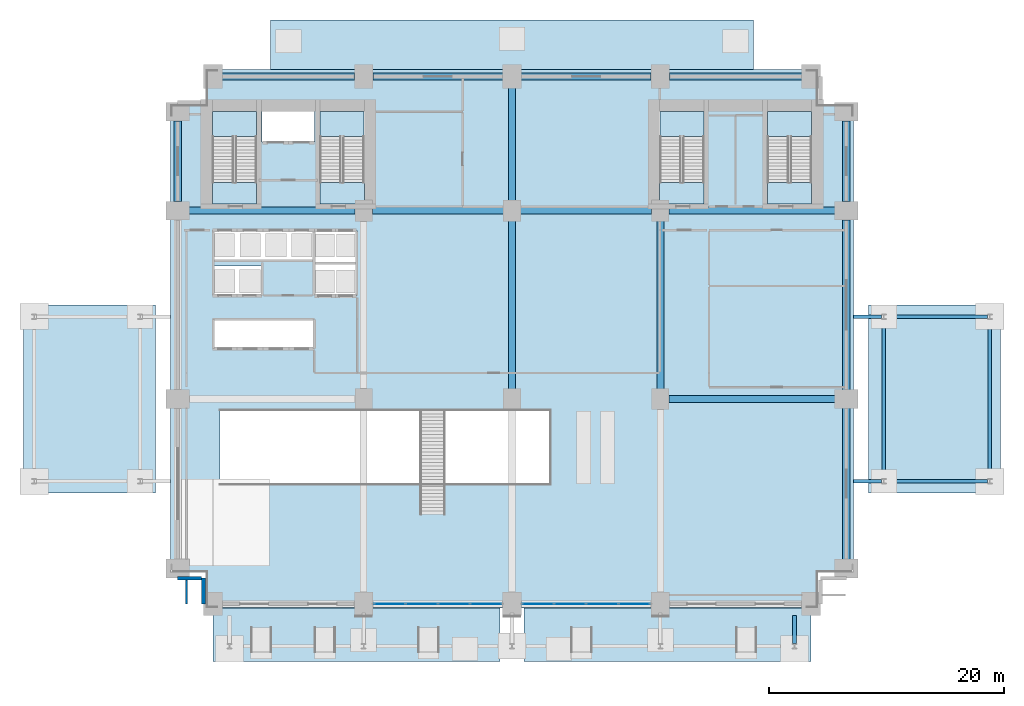
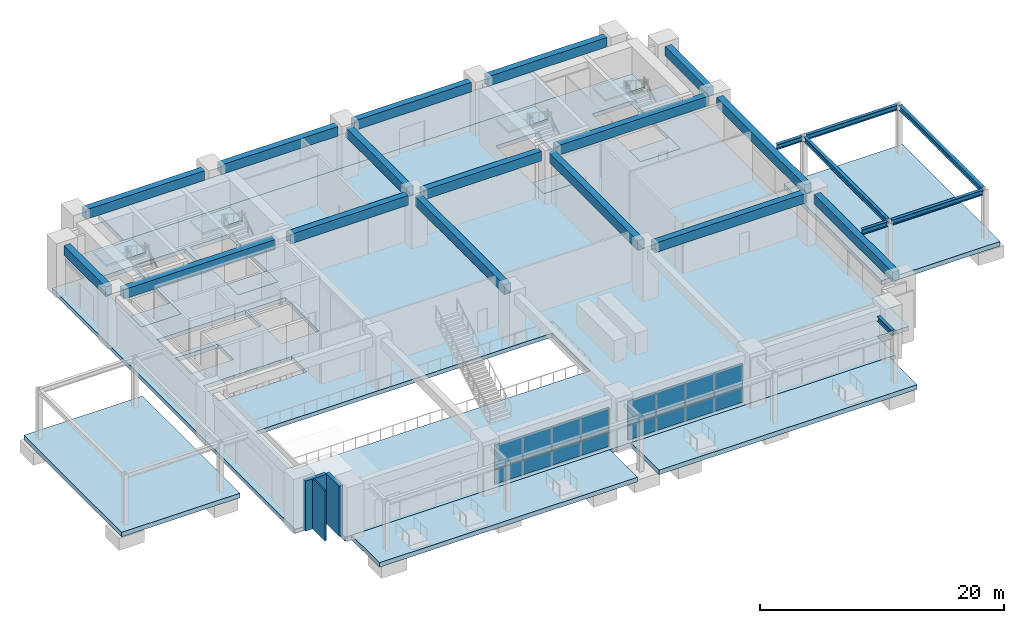
# One storey, part 4 of 14: 23 beams, 16 plates, 14 slabs, 3 walls, 6 elements without a shape of their own.
"""IFC4 building model written with IfcOpenShell, lengths in metres."""

from ifc_helpers import new_model, si_unit, direction, frame, frame_2d, origin, origin_2d, place, context, subcontext, project, spatial, polyline, rectangle, i_section, outline, extrude, material, layer, layer_set, material_profile, profile_set, type_object, element, aggregate, save


model = new_model("IFC4")

# Units and contexts
model_context = context("Model", 3, precision=1e-05, world=origin(), true_north=direction((0.0, 1.0)))
body_context = subcontext(model_context, "Body", "Model", "MODEL_VIEW")
ifc_project = project(units=[si_unit("LENGTHUNIT", "METRE"), si_unit("AREAUNIT", "SQUARE_METRE"), si_unit("VOLUMEUNIT", "CUBIC_METRE"), si_unit("PLANEANGLEUNIT", "RADIAN"), si_unit("MASSUNIT", "GRAM", prefix="KILO")], contexts=[model_context])

# Site, building, storey
site_placement = place(None, origin())
site = spatial("IfcSite", under=ifc_project, at=site_placement, CompositionType="ELEMENT")
building_placement = place(site_placement, origin())
building = spatial("IfcBuilding", under=site, at=building_placement, Name="Sulina Concourse Tower", CompositionType="ELEMENT")
storey_placement = place(building_placement, origin())
storey = spatial("IfcBuildingStorey", under=building, at=storey_placement, Name="L00", CompositionType="ELEMENT", Elevation=0.0)

# Beams
ifc_material_1 = material(Name="Concrete C60/75", Category="concrete")
ifc_material_profile_1 = material_profile(ifc_material_1, rectangle(XDim=0.60009765625, YDim=0.949951171875, at=origin_2d()), Name="RC 600x950")
ifc_profile_set_1 = profile_set([ifc_material_profile_1], Name="Concrete C60/75")
beam_type_1 = type_object("IfcBeamType", Name="Basement & Podium Primary Beam 600x950", PredefinedType="BEAM", material=ifc_profile_set_1)
beam_1_placement = place(storey_placement, frame((4.3798828125, 45.39990234375, 4.52490234375), z_axis=(1.0, 0.0, 0.0), x_axis=(0.0, 1.0, 0.0)))
element("IfcBeam", 1, at=beam_1_placement, inside=storey, type_object=beam_type_1, Name="PB-N1-L00", PredefinedType="BEAM", context=body_context, shape_type="SweptSolid", body=[
    extrude(rectangle(XDim=0.60009765625, YDim=0.949951171875, at=origin_2d()), origin(), (0.0, 0.0, 1.0), 11.240234375),
])
beam_2_placement = place(storey_placement, frame((1.3798828125, 34.0, 4.52490234375), z_axis=(1.0, 0.0, 0.0), x_axis=(0.0, 1.0, 0.0)))
element("IfcBeam", 2, at=beam_2_placement, inside=storey, type_object=beam_type_1, Name="PB-C0-L00", PredefinedType="BEAM", context=body_context, shape_type="SweptSolid", body=[
    extrude(rectangle(XDim=0.60009765625, YDim=0.949951171875, at=origin_2d()), origin(), (0.0, 0.0, 1.0), 14.2900390625),
])
beam_3_placement = place(storey_placement, frame((17.179931640625, 45.39990234375, 4.52490234375), z_axis=(1.0, 0.0, 0.0), x_axis=(0.0, 1.0, 0.0)))
element("IfcBeam", 3, at=beam_3_placement, inside=storey, type_object=beam_type_1, Name="PB-N2-L00", PredefinedType="BEAM", context=body_context, shape_type="SweptSolid", body=[
    extrude(rectangle(XDim=0.60009765625, YDim=0.949951171875, at=origin_2d()), origin(), (0.0, 0.0, 1.0), 11.0400390625),
])
beam_4_placement = place(storey_placement, frame((17.1298828125, 34.0, 4.52490234375), z_axis=(1.0, 0.0, 0.0), x_axis=(0.0, 1.0, 0.0)))
element("IfcBeam", 4, at=beam_4_placement, inside=storey, type_object=beam_type_1, Name="PB-C2-L00", PredefinedType="BEAM", context=body_context, shape_type="SweptSolid", body=[
    extrude(rectangle(XDim=0.60009765625, YDim=0.949951171875, at=origin_2d()), origin(), (0.0, 0.0, 1.0), 11.14013671875),
])
beam_5_placement = place(storey_placement, frame((29.780029296875, 45.39990234375, 4.52490234375), z_axis=(1.0, 0.0, 0.0), x_axis=(0.0, 1.0, 0.0)))
element("IfcBeam", 5, at=beam_5_placement, inside=storey, type_object=beam_type_1, Name="PB-N3-L00", PredefinedType="BEAM", context=body_context, shape_type="SweptSolid", body=[
    extrude(rectangle(XDim=0.60009765625, YDim=0.949951171875, at=origin_2d()), origin(), (0.0, 0.0, 1.0), 11.0400390625),
])
beam_6_placement = place(storey_placement, frame((29.72998046875, 34.0, 4.52490234375), z_axis=(1.0, 0.0, 0.0), x_axis=(0.0, 1.0, 0.0)))
element("IfcBeam", 6, at=beam_6_placement, inside=storey, type_object=beam_type_1, Name="PB-C3-L00", PredefinedType="BEAM", context=body_context, shape_type="SweptSolid", body=[
    extrude(rectangle(XDim=0.60009765625, YDim=0.949951171875, at=origin_2d()), origin(), (0.0, 0.0, 1.0), 11.14013671875),
])
beam_7_placement = place(storey_placement, frame((42.3798828125, 45.39990234375, 4.52490234375), z_axis=(1.0, 0.0, 0.0), x_axis=(0.0, 1.0, 0.0)))
element("IfcBeam", 7, at=beam_7_placement, inside=storey, type_object=beam_type_1, Name="PB-N4-L00", PredefinedType="BEAM", context=body_context, shape_type="SweptSolid", body=[
    extrude(rectangle(XDim=0.60009765625, YDim=0.949951171875, at=origin_2d()), origin(), (0.0, 0.0, 1.0), 11.240234375),
])
for number, where, z_axis, x_axis, name in (
    (8, (42.330078125, 18.0, 4.52490234375), (1.0, 0.0, 0.0), (0.0, 1.0, 0.0), "PB-M5-L00"),
    (9, (42.330078125, 34.0, 4.52490234375), (1.0, 0.0, 0.0), (0.0, 1.0, 0.0), "PB-C5-L00"),
):
    element("IfcBeam", number, at=place(storey_placement, frame(where, z_axis=z_axis, x_axis=x_axis)), inside=storey, type_object=beam_type_1, Name=name, PredefinedType="BEAM", context=body_context, shape_type="SweptSolid", body=[
        extrude(rectangle(XDim=0.60009765625, YDim=0.949951171875, at=origin_2d()), origin(), (0.0, 0.0, 1.0), 14.2900390625),
    ])
beam_8_placement = place(storey_placement, frame((57.39990234375, 4.3798828125, 4.52490234375), z_axis=(0.0, 1.0, 0.0), x_axis=(-1.0, 0.0, 0.0)))
element("IfcBeam", 10, at=beam_8_placement, inside=storey, type_object=beam_type_1, Name="PB-E1-L00", PredefinedType="BEAM", context=body_context, shape_type="SweptSolid", body=[
    extrude(rectangle(XDim=0.60009765625, YDim=0.949951171875, at=origin_2d()), origin(), (0.0, 0.0, 1.0), 12.840087890625),
])
beam_9_placement = place(storey_placement, frame((57.39990234375, 18.780029296875, 4.52490234375), z_axis=(0.0, 1.0, 0.0), x_axis=(-1.0, 0.0, 0.0)))
element("IfcBeam", 11, at=beam_9_placement, inside=storey, type_object=beam_type_1, Name="PB-E2-L00", PredefinedType="BEAM", context=body_context, shape_type="SweptSolid", body=[
    extrude(rectangle(XDim=0.60009765625, YDim=0.949951171875, at=origin_2d()), origin(), (0.0, 0.0, 1.0), 14.43994140625),
])
for number, where, z_axis, x_axis, name in (
    (12, (0.60009765625, 34.780029296875, 4.52490234375), (0.0, 1.0, 0.0), (-1.0, 0.0, 0.0), "PB-W3-L00"),
    (13, (57.39990234375, 34.780029296875, 4.52490234375), (0.0, 1.0, 0.0), (-1.0, 0.0, 0.0), "PB-E3-L00"),
):
    element("IfcBeam", number, at=place(storey_placement, frame(where, z_axis=z_axis, x_axis=x_axis)), inside=storey, type_object=beam_type_1, Name=name, PredefinedType="BEAM", context=body_context, shape_type="SweptSolid", body=[
        extrude(rectangle(XDim=0.60009765625, YDim=0.949951171875, at=origin_2d()), origin(), (0.0, 0.0, 1.0), 6.840087890625),
    ])
beam_10_placement = place(storey_placement, frame((29.0, 18.72998046875, 4.52490234375), z_axis=(0.0, 1.0, 0.0), x_axis=(-1.0, 0.0, 0.0)))
element("IfcBeam", 14, at=beam_10_placement, inside=storey, type_object=beam_type_1, Name="PB-NS2B-L00", PredefinedType="BEAM", context=body_context, shape_type="SweptSolid", body=[
    extrude(rectangle(XDim=0.60009765625, YDim=0.949951171875, at=origin_2d()), origin(), (0.0, 0.0, 1.0), 14.5400390625),
])
beam_11_placement = place(storey_placement, frame((29.0, 34.72998046875, 4.52490234375), z_axis=(0.0, 1.0, 0.0), x_axis=(-1.0, 0.0, 0.0)))
element("IfcBeam", 15, at=beam_11_placement, inside=storey, type_object=beam_type_1, Name="PB-NS2C-L00", PredefinedType="BEAM", context=body_context, shape_type="SweptSolid", body=[
    extrude(rectangle(XDim=0.60009765625, YDim=0.949951171875, at=origin_2d()), origin(), (0.0, 0.0, 1.0), 9.89013671875),
])
beam_12_placement = place(storey_placement, frame((41.60009765625, 18.72998046875, 4.52490234375), z_axis=(0.0, 1.0, 0.0), x_axis=(-1.0, 0.0, 0.0)))
element("IfcBeam", 16, at=beam_12_placement, inside=storey, type_object=beam_type_1, Name="PB-NS3B-L00", PredefinedType="BEAM", context=body_context, shape_type="SweptSolid", body=[
    extrude(rectangle(XDim=0.60009765625, YDim=0.949951171875, at=origin_2d()), origin(), (0.0, 0.0, 1.0), 14.5400390625),
])
ifc_material_2 = material(Name="Steel S355", Category="steel")
ifc_material_profile_2 = material_profile(ifc_material_2, i_section(OverallWidth=0.300048828125, OverallDepth=0.5, WebThickness=0.014404296875, FlangeThickness=0.028076171875, at=origin_2d()), Name="HE 500 B")
ifc_profile_set_2 = profile_set([ifc_material_profile_2], Name="Steel S355")
beam_type_2 = type_object("IfcBeamType", Name="Crown & Canopy Primary Girder HE500B", PredefinedType="BEAM", material=ifc_profile_set_2)
beam_13_placement = place(storey_placement, frame((53.0, -2.760009765625, 4.75), z_axis=(0.0, 1.0, 0.0), x_axis=(-1.0, 0.0, 0.0)))
element("IfcBeam", 17, at=beam_13_placement, inside=storey, type_object=beam_type_2, Name="CN-T5-L00", PredefinedType="BEAM", context=body_context, shape_type="SweptSolid", body=[
    extrude(i_section(OverallWidth=0.300048828125, OverallDepth=0.5, WebThickness=0.014404296875, FlangeThickness=0.028076171875, at=origin_2d()), origin(), (0.0, 0.0, 1.0), 2.360107421875),
])
beam_14_placement = place(storey_placement, frame((58.02001953125, 11.0, 4.75), z_axis=(1.0, 0.0, 0.0), x_axis=(0.0, 1.0, 0.0)))
element("IfcBeam", 18, at=beam_14_placement, inside=storey, type_object=beam_type_2, Name="CN-EG1-1-L00", PredefinedType="BEAM", context=body_context, shape_type="SweptSolid", body=[
    extrude(i_section(OverallWidth=0.300048828125, OverallDepth=0.5, WebThickness=0.014404296875, FlangeThickness=0.028076171875, at=origin_2d()), origin(), (0.0, 0.0, 1.0), 2.369873046875),
])
beam_15_placement = place(storey_placement, frame((60.81005859375, 11.0, 4.75), z_axis=(1.0, 0.0, 0.0), x_axis=(0.0, 1.0, 0.0)))
element("IfcBeam", 19, at=beam_15_placement, inside=storey, type_object=beam_type_2, Name="CN-EG2-1-L00", PredefinedType="BEAM", context=body_context, shape_type="SweptSolid", body=[
    extrude(i_section(OverallWidth=0.300048828125, OverallDepth=0.5, WebThickness=0.014404296875, FlangeThickness=0.028076171875, at=origin_2d()), origin(), (0.0, 0.0, 1.0), 8.579833984375),
])
beam_16_placement = place(storey_placement, frame((58.02001953125, 25.0, 4.75), z_axis=(1.0, 0.0, 0.0), x_axis=(0.0, 1.0, 0.0)))
element("IfcBeam", 20, at=beam_16_placement, inside=storey, type_object=beam_type_2, Name="CN-EG1-2-L00", PredefinedType="BEAM", context=body_context, shape_type="SweptSolid", body=[
    extrude(i_section(OverallWidth=0.300048828125, OverallDepth=0.5, WebThickness=0.014404296875, FlangeThickness=0.028076171875, at=origin_2d()), origin(), (0.0, 0.0, 1.0), 2.369873046875),
])
beam_17_placement = place(storey_placement, frame((60.81005859375, 25.0, 4.75), z_axis=(1.0, 0.0, 0.0), x_axis=(0.0, 1.0, 0.0)))
element("IfcBeam", 21, at=beam_17_placement, inside=storey, type_object=beam_type_2, Name="CN-EG2-2-L00", PredefinedType="BEAM", context=body_context, shape_type="SweptSolid", body=[
    extrude(i_section(OverallWidth=0.300048828125, OverallDepth=0.5, WebThickness=0.014404296875, FlangeThickness=0.028076171875, at=origin_2d()), origin(), (0.0, 0.0, 1.0), 8.579833984375),
])
for number, where, z_axis, x_axis, name in (
    (22, (60.60009765625, 11.239990234375, 4.75), (0.0, 1.0, 0.0), (-1.0, 0.0, 0.0), "CN-PT-3-L00"),
    (23, (69.60009765625, 11.239990234375, 4.75), (0.0, 1.0, 0.0), (-1.0, 0.0, 0.0), "CN-PT-4-L00"),
):
    element("IfcBeam", number, at=place(storey_placement, frame(where, z_axis=z_axis, x_axis=x_axis)), inside=storey, type_object=beam_type_2, Name=name, PredefinedType="BEAM", context=body_context, shape_type="SweptSolid", body=[
        extrude(i_section(OverallWidth=0.300048828125, OverallDepth=0.5, WebThickness=0.014404296875, FlangeThickness=0.028076171875, at=origin_2d()), origin(), (0.0, 0.0, 1.0), 13.52001953125),
    ])

# Slabs
ifc_material_3 = material(Name="Concrete C50/60", Category="concrete")
ifc_layer_1 = layer(ifc_material_3, 0.199951171875)
ifc_layer_set_1 = layer_set([ifc_layer_1], Name="Concrete C50/60")
slab_type_1 = type_object("IfcSlabType", Name="Primary Core Stair Landing Slab 200mm", PredefinedType="LANDING", material=ifc_layer_set_1)
slab_1_placement = place(storey_placement, frame((0.0, 0.0, -0.199951171875)))
element("IfcSlab", 24, at=slab_1_placement, inside=storey, type_object=slab_type_1, Name="L00 ST-1 floor landing slab", PredefinedType="LANDING", context=body_context, shape_type="SweptSolid", body=[
    extrude(outline(polyline([(7.31005859375, 34.550048828125), (7.31005859375, 36.375), (3.550048828125, 36.375), (3.550048828125, 34.550048828125), (7.31005859375, 34.550048828125)])), origin(), (0.0, 0.0, 1.0), 0.199951171875),
])
slab_2_placement = place(storey_placement, frame((0.0, 0.0, -0.199951171875)))
element("IfcSlab", 25, at=slab_2_placement, inside=storey, type_object=slab_type_1, Name="L00 ST-2 floor landing slab", PredefinedType="LANDING", context=body_context, shape_type="SweptSolid", body=[
    extrude(outline(polyline([(16.449951171875, 34.550048828125), (16.449951171875, 36.375), (12.68994140625, 36.375), (12.68994140625, 34.550048828125), (16.449951171875, 34.550048828125)])), origin(), (0.0, 0.0, 1.0), 0.199951171875),
])
slab_3_placement = place(storey_placement, frame((0.0, 0.0, -0.199951171875)))
element("IfcSlab", 26, at=slab_3_placement, inside=storey, type_object=slab_type_1, Name="L00 ST-3 floor landing slab", PredefinedType="LANDING", context=body_context, shape_type="SweptSolid", body=[
    extrude(outline(polyline([(45.31005859375, 34.550048828125), (45.31005859375, 36.375), (41.550048828125, 36.375), (41.550048828125, 34.550048828125), (45.31005859375, 34.550048828125)])), origin(), (0.0, 0.0, 1.0), 0.199951171875),
])
slab_4_placement = place(storey_placement, frame((0.0, 0.0, -0.199951171875)))
element("IfcSlab", 27, at=slab_4_placement, inside=storey, type_object=slab_type_1, Name="L00 ST-4 floor landing slab", PredefinedType="LANDING", context=body_context, shape_type="SweptSolid", body=[
    extrude(outline(polyline([(54.449951171875, 34.550048828125), (54.449951171875, 36.375), (50.68994140625, 36.375), (50.68994140625, 34.550048828125), (54.449951171875, 34.550048828125)])), origin(), (0.0, 0.0, 1.0), 0.199951171875),
])

# Stair, slab
ifc_material_4 = material(Name="Concrete C50/60", Category="concrete")
stair_type_1 = type_object("IfcStairType", Name="Primary Core Dog-Leg Exit Stair 1800mm", PredefinedType="HALF_TURN_STAIR", material=ifc_material_4)
stair_1_placement = place(storey_placement, origin())
stair_1 = element("IfcStair", 28, at=stair_1_placement, inside=storey, type_object=stair_type_1, Name="L00 ST-1", PredefinedType="HALF_TURN_STAIR")
slab_5_placement = place(storey_placement, frame((0.0, 0.0, 2.5)))
slab_5 = element("IfcSlab", 29, at=slab_5_placement, type_object=slab_type_1, Name="ST-1 landing 1", PredefinedType="LANDING", context=body_context, shape_type="SweptSolid", body=[
    extrude(outline(polyline([(7.304931640625, 40.294921875), (7.304931640625, 42.425048828125), (3.554931640625, 42.425048828125), (3.554931640625, 40.294921875), (7.304931640625, 40.294921875)])), origin(), (0.0, 0.0, 1.0), 0.199951171875),
])
aggregate(stair_1, [slab_5])

stair_2_placement = place(storey_placement, origin())
stair_2 = element("IfcStair", 30, at=stair_2_placement, inside=storey, type_object=stair_type_1, Name="L00 ST-2", PredefinedType="HALF_TURN_STAIR")
slab_6_placement = place(storey_placement, frame((0.0, 0.0, 2.5)))
slab_6 = element("IfcSlab", 31, at=slab_6_placement, type_object=slab_type_1, Name="ST-2 landing 1", PredefinedType="LANDING", context=body_context, shape_type="SweptSolid", body=[
    extrude(outline(polyline([(16.445068359375, 40.294921875), (16.445068359375, 42.425048828125), (12.695068359375, 42.425048828125), (12.695068359375, 40.294921875), (16.445068359375, 40.294921875)])), origin(), (0.0, 0.0, 1.0), 0.199951171875),
])
aggregate(stair_2, [slab_6])

ifc_material_5 = material(Name="Concrete C50/60", Category="concrete")
stair_type_2 = type_object("IfcStairType", Name="Portal & Podium Core Exit Stair 1820mm", PredefinedType="HALF_TURN_STAIR", material=ifc_material_5)
stair_3_placement = place(storey_placement, origin())
stair_3 = element("IfcStair", 32, at=stair_3_placement, inside=storey, type_object=stair_type_2, Name="L00 ST-3", PredefinedType="HALF_TURN_STAIR")
slab_7_placement = place(storey_placement, frame((0.0, 0.0, 2.5)))
slab_7 = element("IfcSlab", 33, at=slab_7_placement, type_object=slab_type_1, Name="ST-3 landing 1", PredefinedType="LANDING", context=body_context, shape_type="SweptSolid", body=[
    extrude(outline(polyline([(45.304931640625, 40.294921875), (45.304931640625, 42.425048828125), (41.554931640625, 42.425048828125), (41.554931640625, 40.294921875), (45.304931640625, 40.294921875)])), origin(), (0.0, 0.0, 1.0), 0.199951171875),
])
aggregate(stair_3, [slab_7])

stair_4_placement = place(storey_placement, origin())
stair_4 = element("IfcStair", 34, at=stair_4_placement, inside=storey, type_object=stair_type_2, Name="L00 ST-4", PredefinedType="HALF_TURN_STAIR")
slab_8_placement = place(storey_placement, frame((0.0, 0.0, 2.5)))
slab_8 = element("IfcSlab", 35, at=slab_8_placement, type_object=slab_type_1, Name="ST-4 landing 1", PredefinedType="LANDING", context=body_context, shape_type="SweptSolid", body=[
    extrude(outline(polyline([(54.445068359375, 40.294921875), (54.445068359375, 42.425048828125), (50.695068359375, 42.425048828125), (50.695068359375, 40.294921875), (54.445068359375, 40.294921875)])), origin(), (0.0, 0.0, 1.0), 0.199951171875),
])
aggregate(stair_4, [slab_8])

# Slab
ifc_material_6 = material(Name="Concrete C60/75", Category="concrete")
ifc_layer_2 = layer(ifc_material_6, 0.39990234375)
ifc_layer_set_2 = layer_set([ifc_layer_2], Name="Concrete C60/75")
slab_type_2 = type_object("IfcSlabType", Name="Station Concourse & Transfer Slab 400mm", PredefinedType="FLOOR", material=ifc_layer_set_2)
slab_9_placement = place(storey_placement, frame((0.0, 0.0, -0.39990234375)))
element("IfcSlab", 36, at=slab_9_placement, inside=storey, type_object=slab_type_2, Name="L00 structural floor slab", PredefinedType="FLOOR", context=body_context, shape_type="SweptSolid", body=[
    extrude(outline(polyline([(3.0, 0.25), (55.0, 0.25), (55.0, 3.25), (58.0, 3.25), (58.0, 43.0), (55.0, 43.0), (55.0, 46.0), (3.0, 46.0), (3.0, 43.0), (0.0, 43.0), (0.0, 3.25), (3.0, 3.25), (3.0, 0.25)]), holes=[polyline([(7.31005859375, 34.550048828125), (7.31005859375, 42.429931640625), (3.550048828125, 42.429931640625), (3.550048828125, 34.550048828125), (7.31005859375, 34.550048828125)]), polyline([(16.449951171875, 34.550048828125), (16.449951171875, 42.429931640625), (12.68994140625, 42.429931640625), (12.68994140625, 34.550048828125), (16.449951171875, 34.550048828125)]), polyline([(45.31005859375, 34.550048828125), (45.31005859375, 42.429931640625), (41.550048828125, 42.429931640625), (41.550048828125, 34.550048828125), (45.31005859375, 34.550048828125)]), polyline([(54.449951171875, 34.550048828125), (54.449951171875, 42.429931640625), (50.68994140625, 42.429931640625), (50.68994140625, 34.550048828125), (54.449951171875, 34.550048828125)]), polyline([(4.199951171875, 10.800048828125), (32.199951171875, 10.800048828125), (32.199951171875, 17.0), (4.199951171875, 17.0), (4.199951171875, 10.800048828125)]), polyline([(7.780029296875, 39.830078125), (12.219970703125, 39.830078125), (12.219970703125, 42.449951171875), (7.780029296875, 42.449951171875), (7.780029296875, 39.830078125)]), polyline([(3.739990234375, 26.780029296875), (7.77001953125, 26.780029296875), (7.77001953125, 29.320068359375), (3.739990234375, 29.320068359375), (3.739990234375, 26.780029296875)]), polyline([(3.739990234375, 29.780029296875), (12.10009765625, 29.780029296875), (12.10009765625, 32.3701171875), (3.739990234375, 32.3701171875), (3.739990234375, 29.780029296875)]), polyline([(3.739990234375, 22.280029296875), (12.10009765625, 22.280029296875), (12.10009765625, 24.77001953125), (3.739990234375, 24.77001953125), (3.739990234375, 22.280029296875)]), polyline([(12.280029296875, 26.780029296875), (15.85009765625, 26.780029296875), (15.85009765625, 32.320068359375), (12.280029296875, 32.320068359375), (12.280029296875, 26.780029296875)])]), origin(), (0.0, 0.0, 1.0), 0.39990234375),
])

# Curtain wall, plates
ifc_material_7 = material(Name="Anodised bronze aluminium", Category="aluminium")
ifc_layer_3 = layer(ifc_material_7, 0.239990234375)
ifc_layer_set_3 = layer_set([ifc_layer_3], Name="Anodised bronze aluminium")
curtain_wall_type = type_object("IfcCurtainWallType", Name="Station Concourse Curtain Wall System", PredefinedType="NOTDEFINED", material=ifc_layer_set_3)
curtain_wall_1_placement = place(storey_placement, origin())
curtain_wall_1 = element("IfcCurtainWall", 37, at=curtain_wall_1_placement, inside=storey, type_object=curtain_wall_type, Name="L00 glazed curtain wall S2", PredefinedType="NOTDEFINED")
ifc_material_8 = material(Name="Low-E laminated concourse glazing", Category="glass")
ifc_layer_4 = layer(ifc_material_8, 0.035888671875)
ifc_layer_set_4 = layer_set([ifc_layer_4], Name="Low-E laminated concourse glazing")
plate_type = type_object("IfcPlateType", Name="Station Concourse Curtain Wall System Glazed Panel 36mm", PredefinedType="CURTAIN_PANEL", material=ifc_layer_set_4)
plate_1_placement = place(storey_placement, frame((26.791259765625, 0.60009765625, 0.0751953125), z_axis=(0.0, 0.0, 1.0), x_axis=(-1.0, 0.0, 0.0)))
plate_1 = element("IfcPlate", 38, at=plate_1_placement, type_object=plate_type, Name="CW-01 panel 1.1", PredefinedType="CURTAIN_PANEL", context=body_context, shape_type="SweptSolid", body=[
    extrude(rectangle(XDim=2.62744140625, YDim=0.035888671875, at=origin_2d()), origin(), (0.0, 0.0, 1.0), 1.426513671875),
])
plate_2_placement = place(storey_placement, frame((26.791259765625, 0.60009765625, 1.576416015625), z_axis=(0.0, 0.0, 1.0), x_axis=(-1.0, 0.0, 0.0)))
plate_2 = element("IfcPlate", 39, at=plate_2_placement, type_object=plate_type, Name="CW-01 panel 1.2", PredefinedType="CURTAIN_PANEL", context=body_context, shape_type="SweptSolid", body=[
    extrude(rectangle(XDim=2.62744140625, YDim=0.035888671875, at=origin_2d()), origin(), (0.0, 0.0, 1.0), 2.3984375),
])
plate_3_placement = place(storey_placement, frame((24.070068359375, 0.60009765625, 0.0751953125), z_axis=(0.0, 0.0, 1.0), x_axis=(-1.0, 0.0, 0.0)))
plate_3 = element("IfcPlate", 40, at=plate_3_placement, type_object=plate_type, Name="CW-01 panel 2.1", PredefinedType="CURTAIN_PANEL", context=body_context, shape_type="SweptSolid", body=[
    extrude(rectangle(XDim=2.6650390625, YDim=0.035888671875, at=origin_2d()), origin(), (0.0, 0.0, 1.0), 1.426513671875),
])
plate_4_placement = place(storey_placement, frame((24.070068359375, 0.60009765625, 1.576416015625), z_axis=(0.0, 0.0, 1.0), x_axis=(-1.0, 0.0, 0.0)))
plate_4 = element("IfcPlate", 41, at=plate_4_placement, type_object=plate_type, Name="CW-01 panel 2.2", PredefinedType="CURTAIN_PANEL", context=body_context, shape_type="SweptSolid", body=[
    extrude(rectangle(XDim=2.6650390625, YDim=0.035888671875, at=origin_2d()), origin(), (0.0, 0.0, 1.0), 2.3984375),
])
plate_5_placement = place(storey_placement, frame((21.330078125, 0.60009765625, 0.0751953125), z_axis=(0.0, 0.0, 1.0), x_axis=(-1.0, 0.0, 0.0)))
plate_5 = element("IfcPlate", 42, at=plate_5_placement, type_object=plate_type, Name="CW-01 panel 3.1", PredefinedType="CURTAIN_PANEL", context=body_context, shape_type="SweptSolid", body=[
    extrude(rectangle(XDim=2.6650390625, YDim=0.035888671875, at=origin_2d()), origin(), (0.0, 0.0, 1.0), 1.426513671875),
])
plate_6_placement = place(storey_placement, frame((21.330078125, 0.60009765625, 1.576416015625), z_axis=(0.0, 0.0, 1.0), x_axis=(-1.0, 0.0, 0.0)))
plate_6 = element("IfcPlate", 43, at=plate_6_placement, type_object=plate_type, Name="CW-01 panel 3.2", PredefinedType="CURTAIN_PANEL", context=body_context, shape_type="SweptSolid", body=[
    extrude(rectangle(XDim=2.6650390625, YDim=0.035888671875, at=origin_2d()), origin(), (0.0, 0.0, 1.0), 2.3984375),
])
plate_7_placement = place(storey_placement, frame((18.608642578125, 0.60009765625, 0.0751953125), z_axis=(0.0, 0.0, 1.0), x_axis=(-1.0, 0.0, 0.0)))
plate_7 = element("IfcPlate", 44, at=plate_7_placement, type_object=plate_type, Name="CW-01 panel 4.1", PredefinedType="CURTAIN_PANEL", context=body_context, shape_type="SweptSolid", body=[
    extrude(rectangle(XDim=2.62744140625, YDim=0.035888671875, at=origin_2d()), origin(), (0.0, 0.0, 1.0), 1.426513671875),
])
plate_8_placement = place(storey_placement, frame((18.608642578125, 0.60009765625, 1.576416015625), z_axis=(0.0, 0.0, 1.0), x_axis=(-1.0, 0.0, 0.0)))
plate_8 = element("IfcPlate", 45, at=plate_8_placement, type_object=plate_type, Name="CW-01 panel 4.2", PredefinedType="CURTAIN_PANEL", context=body_context, shape_type="SweptSolid", body=[
    extrude(rectangle(XDim=2.62744140625, YDim=0.035888671875, at=origin_2d()), origin(), (0.0, 0.0, 1.0), 2.3984375),
])
aggregate(curtain_wall_1, [plate_1, plate_2, plate_3, plate_4, plate_5, plate_6, plate_7, plate_8])

curtain_wall_2_placement = place(storey_placement, origin())
curtain_wall_2 = element("IfcCurtainWall", 46, at=curtain_wall_2_placement, inside=storey, type_object=curtain_wall_type, Name="L00 glazed curtain wall S3", PredefinedType="NOTDEFINED")
plate_9_placement = place(storey_placement, frame((39.391357421875, 0.60009765625, 0.0751953125), z_axis=(0.0, 0.0, 1.0), x_axis=(-1.0, 0.0, 0.0)))
plate_9 = element("IfcPlate", 47, at=plate_9_placement, type_object=plate_type, Name="CW-01 panel 1.1", PredefinedType="CURTAIN_PANEL", context=body_context, shape_type="SweptSolid", body=[
    extrude(rectangle(XDim=2.62744140625, YDim=0.035888671875, at=origin_2d()), origin(), (0.0, 0.0, 1.0), 1.426513671875),
])
plate_10_placement = place(storey_placement, frame((39.391357421875, 0.60009765625, 1.576416015625), z_axis=(0.0, 0.0, 1.0), x_axis=(-1.0, 0.0, 0.0)))
plate_10 = element("IfcPlate", 48, at=plate_10_placement, type_object=plate_type, Name="CW-01 panel 1.2", PredefinedType="CURTAIN_PANEL", context=body_context, shape_type="SweptSolid", body=[
    extrude(rectangle(XDim=2.62744140625, YDim=0.035888671875, at=origin_2d()), origin(), (0.0, 0.0, 1.0), 2.3984375),
])
plate_11_placement = place(storey_placement, frame((36.669921875, 0.60009765625, 0.0751953125), z_axis=(0.0, 0.0, 1.0), x_axis=(-1.0, 0.0, 0.0)))
plate_11 = element("IfcPlate", 49, at=plate_11_placement, type_object=plate_type, Name="CW-01 panel 2.1", PredefinedType="CURTAIN_PANEL", context=body_context, shape_type="SweptSolid", body=[
    extrude(rectangle(XDim=2.6650390625, YDim=0.035888671875, at=origin_2d()), origin(), (0.0, 0.0, 1.0), 1.426513671875),
])
plate_12_placement = place(storey_placement, frame((36.669921875, 0.60009765625, 1.576416015625), z_axis=(0.0, 0.0, 1.0), x_axis=(-1.0, 0.0, 0.0)))
plate_12 = element("IfcPlate", 50, at=plate_12_placement, type_object=plate_type, Name="CW-01 panel 2.2", PredefinedType="CURTAIN_PANEL", context=body_context, shape_type="SweptSolid", body=[
    extrude(rectangle(XDim=2.6650390625, YDim=0.035888671875, at=origin_2d()), origin(), (0.0, 0.0, 1.0), 2.3984375),
])
plate_13_placement = place(storey_placement, frame((33.929931640625, 0.60009765625, 0.0751953125), z_axis=(0.0, 0.0, 1.0), x_axis=(-1.0, 0.0, 0.0)))
plate_13 = element("IfcPlate", 51, at=plate_13_placement, type_object=plate_type, Name="CW-01 panel 3.1", PredefinedType="CURTAIN_PANEL", context=body_context, shape_type="SweptSolid", body=[
    extrude(rectangle(XDim=2.6650390625, YDim=0.035888671875, at=origin_2d()), origin(), (0.0, 0.0, 1.0), 1.426513671875),
])
plate_14_placement = place(storey_placement, frame((33.929931640625, 0.60009765625, 1.576416015625), z_axis=(0.0, 0.0, 1.0), x_axis=(-1.0, 0.0, 0.0)))
plate_14 = element("IfcPlate", 52, at=plate_14_placement, type_object=plate_type, Name="CW-01 panel 3.2", PredefinedType="CURTAIN_PANEL", context=body_context, shape_type="SweptSolid", body=[
    extrude(rectangle(XDim=2.6650390625, YDim=0.035888671875, at=origin_2d()), origin(), (0.0, 0.0, 1.0), 2.3984375),
])
plate_15_placement = place(storey_placement, frame((31.208740234375, 0.60009765625, 0.0751953125), z_axis=(0.0, 0.0, 1.0), x_axis=(-1.0, 0.0, 0.0)))
plate_15 = element("IfcPlate", 53, at=plate_15_placement, type_object=plate_type, Name="CW-01 panel 4.1", PredefinedType="CURTAIN_PANEL", context=body_context, shape_type="SweptSolid", body=[
    extrude(rectangle(XDim=2.62744140625, YDim=0.035888671875, at=origin_2d()), origin(), (0.0, 0.0, 1.0), 1.426513671875),
])
plate_16_placement = place(storey_placement, frame((31.208740234375, 0.60009765625, 1.576416015625), z_axis=(0.0, 0.0, 1.0), x_axis=(-1.0, 0.0, 0.0)))
plate_16 = element("IfcPlate", 54, at=plate_16_placement, type_object=plate_type, Name="CW-01 panel 4.2", PredefinedType="CURTAIN_PANEL", context=body_context, shape_type="SweptSolid", body=[
    extrude(rectangle(XDim=2.62744140625, YDim=0.035888671875, at=origin_2d()), origin(), (0.0, 0.0, 1.0), 2.3984375),
])
aggregate(curtain_wall_2, [plate_9, plate_10, plate_11, plate_12, plate_13, plate_14, plate_15, plate_16])

# Slabs
ifc_material_9 = material(Name="Concrete C50/60", Category="concrete")
ifc_layer_5 = layer(ifc_material_9, 0.449951171875)
ifc_layer_set_5 = layer_set([ifc_layer_5], Name="Concrete C50/60")
slab_type_3 = type_object("IfcSlabType", Name="Station Plaza & Forecourt Base Slab 450mm", PredefinedType="BASESLAB", material=ifc_layer_set_5)
slab_10_placement = place(storey_placement, frame((0.0, 0.0, -0.449951171875)))
element("IfcSlab", 55, at=slab_10_placement, inside=storey, type_object=slab_type_3, Name="Station platform and forecourt base slab BS-PLAT-W", PredefinedType="BASESLAB", context=body_context, shape_type="SweptSolid", body=[
    extrude(outline(polyline([(-12.5, 10.0), (-1.300048828125, 10.0), (-1.300048828125, 26.0), (-12.5, 26.0), (-12.5, 10.0)])), origin(), (0.0, 0.0, 1.0), 0.449951171875),
])
slab_11_placement = place(storey_placement, frame((0.0, 0.0, -0.449951171875)))
element("IfcSlab", 56, at=slab_11_placement, inside=storey, type_object=slab_type_3, Name="Station platform and forecourt base slab BS-PLAT-E", PredefinedType="BASESLAB", context=body_context, shape_type="SweptSolid", body=[
    extrude(outline(polyline([(59.300048828125, 10.0), (70.5, 10.0), (70.5, 26.0), (59.300048828125, 26.0), (59.300048828125, 10.0)])), origin(), (0.0, 0.0, 1.0), 0.449951171875),
])
slab_12_placement = place(storey_placement, frame((0.0, 0.0, -0.449951171875)))
element("IfcSlab", 57, at=slab_12_placement, inside=storey, type_object=slab_type_3, Name="Station platform and forecourt base slab BS-FOR-S1", PredefinedType="BASESLAB", context=body_context, shape_type="SweptSolid", body=[
    extrude(outline(polyline([(3.60009765625, -4.300048828125), (28.0, -4.300048828125), (28.0, 0.25), (3.60009765625, 0.25), (3.60009765625, -4.300048828125)])), origin(), (0.0, 0.0, 1.0), 0.449951171875),
])
slab_13_placement = place(storey_placement, frame((0.0, 0.0, -0.449951171875)))
element("IfcSlab", 58, at=slab_13_placement, inside=storey, type_object=slab_type_3, Name="Station platform and forecourt base slab BS-FOR-S2", PredefinedType="BASESLAB", context=body_context, shape_type="SweptSolid", body=[
    extrude(outline(polyline([(30.0, -4.300048828125), (54.39990234375, -4.300048828125), (54.39990234375, 0.25), (30.0, 0.25), (30.0, -4.300048828125)])), origin(), (0.0, 0.0, 1.0), 0.449951171875),
])
slab_14_placement = place(storey_placement, frame((0.0, 0.0, -0.449951171875)))
element("IfcSlab", 59, at=slab_14_placement, inside=storey, type_object=slab_type_3, Name="Station platform and forecourt base slab BS-FOR-N1", PredefinedType="BASESLAB", context=body_context, shape_type="SweptSolid", body=[
    extrude(outline(polyline([(8.5, 46.0), (49.5, 46.0), (49.5, 50.199951171875), (8.5, 50.199951171875), (8.5, 46.0)])), origin(), (0.0, 0.0, 1.0), 0.449951171875),
])

# Walls
ifc_material_10 = material(Name="Gypsum board on steel stud", Category="steel")
ifc_layer_6 = layer(ifc_material_10, 0.14990234375)
ifc_layer_set_6 = layer_set([ifc_layer_6], Name="Gypsum board on steel stud")
wall_type_1 = type_object("IfcWallType", Name="Inter-Tenancy Acoustic Partition 150mm", PredefinedType="PARTITIONING", material=ifc_layer_set_6)
wall_1_placement = place(storey_placement, frame((1.35009765625, 0.60009765625, 0.0), z_axis=(0.0, 0.0, 1.0), x_axis=(0.0, 1.0, 0.0)))
element("IfcWall", 60, at=wall_1_placement, inside=storey, type_object=wall_type_1, Name="L00 interior partition 017", PredefinedType="PARTITIONING", context=body_context, shape_type="SweptSolid", body=[
    extrude(rectangle(XDim=2.02001953125, YDim=0.14990234375, at=frame_2d((1.010009765625, 0.0))), origin(), (0.0, 0.0, 1.0), 5.0),
])
ifc_material_11 = material(Name="Precast concrete C50/60", Category="concrete")
ifc_layer_7 = layer(ifc_material_11, 0.320068359375)
ifc_layer_set_7 = layer_set([ifc_layer_7], Name="Precast concrete C50/60")
wall_type_2 = type_object("IfcWallType", Name="Lower Precast Masonry-Frame Facade Wall 320mm", PredefinedType="SOLIDWALL", material=ifc_layer_set_7)
wall_2_placement = place(storey_placement, frame((2.780029296875, 0.60009765625, 0.0), z_axis=(0.0, 0.0, 1.0), x_axis=(0.0, 1.0, 0.0)))
element("IfcWall", 61, at=wall_2_placement, inside=storey, type_object=wall_type_2, Name="L00 exterior precast wall CSW1", PredefinedType="SOLIDWALL", context=body_context, shape_type="SweptSolid", body=[
    extrude(rectangle(XDim=2.179931640625, YDim=0.320068359375, at=frame_2d((1.08984375, 0.0))), origin(), (0.0, 0.0, 1.0), 5.0),
])
wall_3_placement = place(storey_placement, frame((2.614990234375, 2.780029296875, 0.0), z_axis=(0.0, 0.0, 1.0), x_axis=(-1.0, 0.0, 0.0)))
element("IfcWall", 62, at=wall_3_placement, inside=storey, type_object=wall_type_2, Name="L00 exterior precast wall CSW2", PredefinedType="SOLIDWALL", context=body_context, shape_type="SweptSolid", body=[
    extrude(rectangle(XDim=2.014892578125, YDim=0.320068359375, at=frame_2d((1.00732421875, 0.0))), origin(), (0.0, 0.0, 1.0), 5.0),
])

save(model, "model.ifc")
